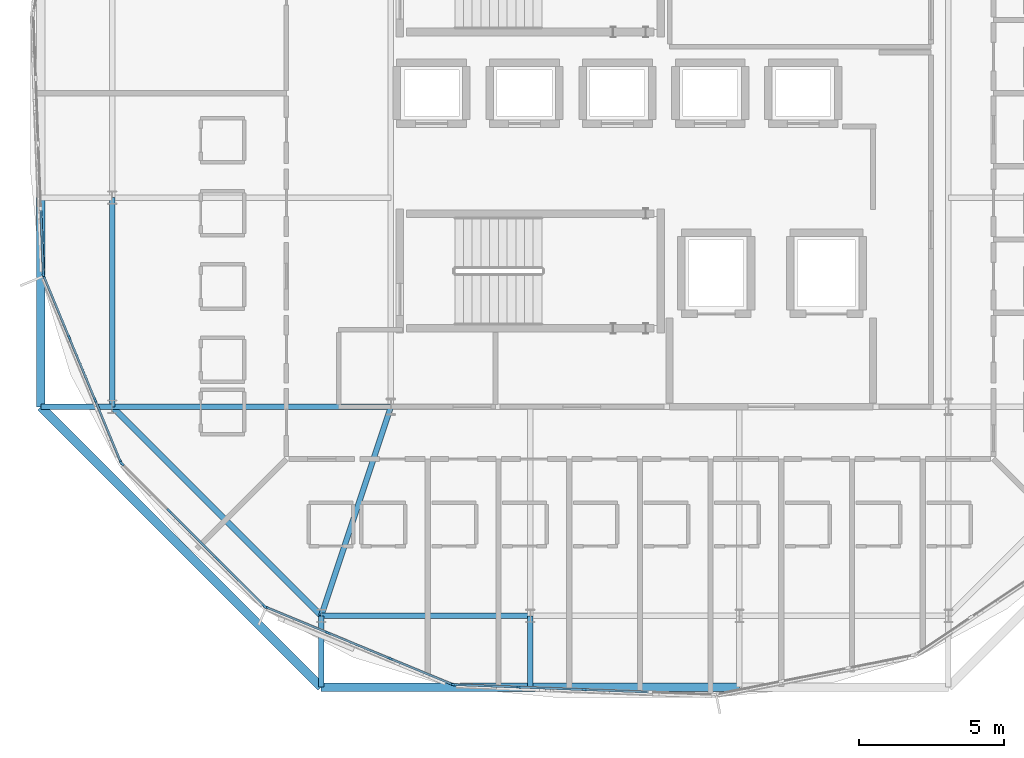
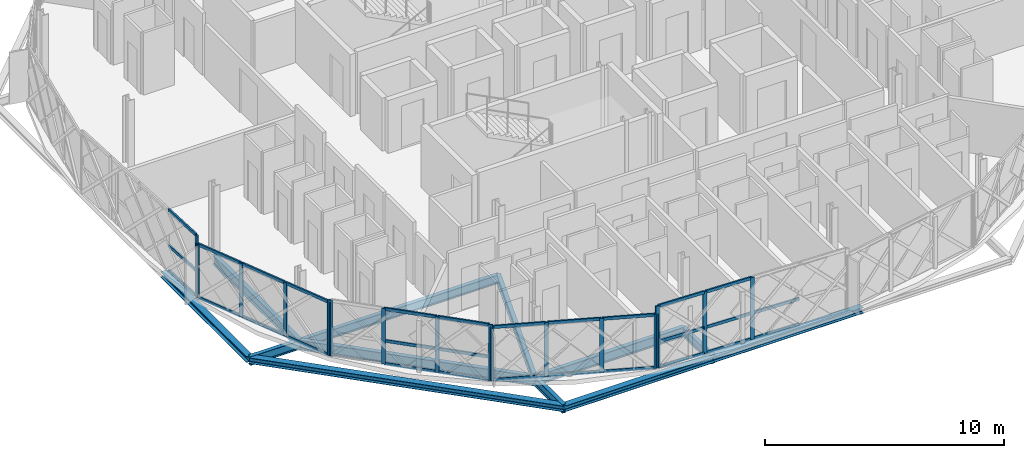
# One storey, part 4 of 24: 45 members, 12 beams, 5 elements without a shape of their own.
"""IFC4 building model written with IfcOpenShell, lengths in metres."""

from ifc_helpers import new_model, si_unit, direction, frame, origin, origin_2d, place, context, subcontext, project, spatial, rectangle, i_section, extrude, material, layer, layer_set, material_profile, profile_set, type_object, element, aggregate, save


model = new_model("IFC4")

# Units and contexts
model_context = context("Model", 3, precision=1e-05, world=origin(), true_north=direction((0.0, 1.0)))
body_context = subcontext(model_context, "Body", "Model", "MODEL_VIEW")
ifc_project = project(units=[si_unit("LENGTHUNIT", "METRE"), si_unit("AREAUNIT", "SQUARE_METRE"), si_unit("VOLUMEUNIT", "CUBIC_METRE"), si_unit("PLANEANGLEUNIT", "RADIAN"), si_unit("MASSUNIT", "GRAM", prefix="KILO")], contexts=[model_context])

# Site, building, storey
site_placement = place(None, origin())
site = spatial("IfcSite", under=ifc_project, at=site_placement, CompositionType="ELEMENT")
building_placement = place(site_placement, origin())
building = spatial("IfcBuilding", under=site, at=building_placement, Name="Zevrakil Square Congress Hotel", CompositionType="ELEMENT")
storey_placement = place(building_placement, frame((0.0, 0.0, 31.699951171875)))
storey = spatial("IfcBuildingStorey", under=building, at=storey_placement, Name="L09", CompositionType="ELEMENT", Elevation=31.699951171875)

# Beams
ifc_material_1 = material(Name="Steel S355", Category="steel")
ifc_material_profile_1 = material_profile(ifc_material_1, i_section(OverallWidth=0.18994140625, OverallDepth=0.449951171875, WebThickness=0.009521484375, FlangeThickness=0.0146484375, FilletRadius=0.02099609375, at=origin_2d()), Name="IPE 450")
ifc_profile_set_1 = profile_set([ifc_material_profile_1], Name="Steel S355")
beam_type_1 = type_object("IfcBeamType", Name="BM-IPE450", PredefinedType="BEAM", material=ifc_profile_set_1)
beam_1_placement = place(storey_placement, frame((136.800048828125, 16.800048828125, -0.449951171875), z_axis=(-0.316247066962, -0.948676864184, 0.0), x_axis=(0.948676864184, -0.316247066962, 0.0)))
element("IfcBeam", 1, at=beam_1_placement, inside=storey, type_object=beam_type_1, Name="L09 drum radial floor beam DRI-01", PredefinedType="BEAM", context=body_context, shape_type="SweptSolid", body=[
    extrude(i_section(OverallWidth=0.18994140625, OverallDepth=0.449951171875, WebThickness=0.009521484375, FlangeThickness=0.0146484375, FilletRadius=0.02099609375, at=origin_2d()), origin(), (0.0, 0.0, 1.0), 7.58935546875),
])
for number, where, z_axis, x_axis, name in (
    (2, (134.39990234375, 9.60009765625, -0.449951171875), (0.0, -1.0, 0.0), (1.0, 0.0, 0.0), "L09 drum radial edge cantilever beam DRO-01"),
    (3, (141.60009765625, 9.60009765625, -0.449951171875), (0.0, -1.0, 0.0), (1.0, 0.0, 0.0), "L09 drum radial edge cantilever beam DRO-02"),
):
    element("IfcBeam", number, at=place(storey_placement, frame(where, z_axis=z_axis, x_axis=x_axis)), inside=storey, type_object=beam_type_1, Name=name, PredefinedType="BEAM", context=body_context, shape_type="SweptSolid", body=[
        extrude(i_section(OverallWidth=0.18994140625, OverallDepth=0.449951171875, WebThickness=0.009521484375, FlangeThickness=0.0146484375, FilletRadius=0.02099609375, at=origin_2d()), origin(), (0.0, 0.0, 1.0), 2.455078125),
    ])
beam_2_placement = place(storey_placement, frame((136.800048828125, 16.800048828125, -0.449951171875), z_axis=(-1.0, 0.0, 0.0), x_axis=(0.0, -1.0, 0.0)))
element("IfcBeam", 4, at=beam_2_placement, inside=storey, type_object=beam_type_1, Name="L09 drum radial floor beam DRI-16", PredefinedType="BEAM", context=body_context, shape_type="SweptSolid", body=[
    extrude(i_section(OverallWidth=0.18994140625, OverallDepth=0.449951171875, WebThickness=0.009521484375, FlangeThickness=0.0146484375, FilletRadius=0.02099609375, at=origin_2d()), origin(), (0.0, 0.0, 1.0), 9.60009765625),
])
beam_3_placement = place(storey_placement, frame((127.199951171875, 16.800048828125, -0.449951171875), z_axis=(-1.0, 0.0, 0.0), x_axis=(0.0, -1.0, 0.0)))
element("IfcBeam", 5, at=beam_3_placement, inside=storey, type_object=beam_type_1, Name="L09 drum radial edge cantilever beam DRO-16", PredefinedType="BEAM", context=body_context, shape_type="SweptSolid", body=[
    extrude(i_section(OverallWidth=0.18994140625, OverallDepth=0.449951171875, WebThickness=0.009521484375, FlangeThickness=0.0146484375, FilletRadius=0.02099609375, at=origin_2d()), origin(), (0.0, 0.0, 1.0), 2.454833984375),
])
ifc_material_2 = material(Name="Steel S355", Category="steel")
ifc_material_profile_2 = material_profile(ifc_material_2, i_section(OverallWidth=0.199951171875, OverallDepth=0.5, WebThickness=0.01025390625, FlangeThickness=0.01611328125, FilletRadius=0.02099609375, at=origin_2d()), Name="IPE 500")
ifc_profile_set_2 = profile_set([ifc_material_profile_2], Name="Steel S355")
beam_type_2 = type_object("IfcBeamType", Name="BM-IPE500", PredefinedType="BEAM", material=ifc_profile_set_2)
beam_4_placement = place(storey_placement, frame((134.39990234375, 9.60009765625, -0.474853515625), z_axis=(1.0, 0.0, 0.0), x_axis=(0.0, 1.0, 0.0)))
element("IfcBeam", 6, at=beam_4_placement, inside=storey, type_object=beam_type_2, Name="L09 drum ring girder DRB-01", PredefinedType="BEAM", context=body_context, shape_type="SweptSolid", body=[
    extrude(i_section(OverallWidth=0.199951171875, OverallDepth=0.5, WebThickness=0.01025390625, FlangeThickness=0.01611328125, FilletRadius=0.02099609375, at=origin_2d()), origin(), (0.0, 0.0, 1.0), 7.2001953125),
])
beam_5_placement = place(storey_placement, frame((127.199951171875, 24.0, -0.474853515625), z_axis=(0.0, -1.0, 0.0), x_axis=(1.0, 0.0, 0.0)))
element("IfcBeam", 7, at=beam_5_placement, inside=storey, type_object=beam_type_2, Name="L09 drum ring girder DRB-15", PredefinedType="BEAM", context=body_context, shape_type="SweptSolid", body=[
    extrude(i_section(OverallWidth=0.199951171875, OverallDepth=0.5, WebThickness=0.01025390625, FlangeThickness=0.01611328125, FilletRadius=0.02099609375, at=origin_2d()), origin(), (0.0, 0.0, 1.0), 7.199951171875),
])
beam_6_placement = place(storey_placement, frame((127.199951171875, 16.800048828125, -0.474853515625), z_axis=(0.707106781187, -0.707106781187, 0.0), x_axis=(0.707106781187, 0.707106781187, 0.0)))
element("IfcBeam", 8, at=beam_6_placement, inside=storey, type_object=beam_type_2, Name="L09 drum ring girder DRB-16", PredefinedType="BEAM", context=body_context, shape_type="SweptSolid", body=[
    extrude(i_section(OverallWidth=0.199951171875, OverallDepth=0.5, WebThickness=0.01025390625, FlangeThickness=0.01611328125, FilletRadius=0.02099609375, at=origin_2d()), origin(), (0.0, 0.0, 1.0), 10.182373046875),
])

# Curtain wall, members
ifc_material_3 = material(Name="Aluminium Anodised Bronze", Category="aluminium")
ifc_layer_1 = layer(ifc_material_3, 0.179931640625)
ifc_layer_set_1 = layer_set([ifc_layer_1], Name="Aluminium Anodised Bronze")
curtain_wall_type_1 = type_object("IfcCurtainWallType", Name="CW-L09-900", PredefinedType="USERDEFINED", material=ifc_layer_set_1)
curtain_wall_1_placement = place(storey_placement, origin())
curtain_wall_1 = element("IfcCurtainWall", 9, at=curtain_wall_1_placement, inside=storey, type_object=curtain_wall_type_1, Name="L09 diamond curtain wall CW-L09-0266", ObjectType="GLAZED CURTAIN WALL", PredefinedType="USERDEFINED")
ifc_material_4 = material(Name="Aluminium Anodised Bronze", Category="aluminium")
ifc_material_profile_3 = material_profile(ifc_material_4, rectangle(XDim=0.074951171875, YDim=0.14990234375, at=origin_2d()), Name="ALU 75x150")
ifc_profile_set_3 = profile_set([ifc_material_profile_3], Name="Aluminium Anodised Bronze")
member_type_1 = type_object("IfcMemberType", Name="CWM-ALU75x150", PredefinedType="USERDEFINED", material=ifc_profile_set_3)
member_1_placement = place(storey_placement, frame((124.744873046875, 23.56298828125, 0.030029296875), z_axis=(0.038186533987, -0.999270628319, 0.0), x_axis=(0.999270628319, 0.038186533987, 0.0)))
member_1 = element("IfcMember", 10, at=member_1_placement, type_object=member_type_1, Name="CW-108 transom 4.1", ObjectType="TRANSOM", PredefinedType="USERDEFINED", context=body_context, shape_type="SweptSolid", body=[
    extrude(rectangle(XDim=0.074951171875, YDim=0.14990234375, at=origin_2d()), origin(), (0.0, 0.0, 1.0), 2.167236328125),
])
member_2_placement = place(storey_placement, frame((124.744873046875, 23.56298828125, 1.33154296875), z_axis=(0.038186533987, -0.999270628319, 0.0), x_axis=(0.999270628319, 0.038186533987, 0.0)))
member_2 = element("IfcMember", 11, at=member_2_placement, type_object=member_type_1, Name="CW-108 transom 4.2", ObjectType="TRANSOM", PredefinedType="USERDEFINED", context=body_context, shape_type="SweptSolid", body=[
    extrude(rectangle(XDim=0.074951171875, YDim=0.14990234375, at=origin_2d()), origin(), (0.0, 0.0, 1.0), 2.167236328125),
])
member_3_placement = place(storey_placement, frame((124.744873046875, 23.56298828125, 3.14013671875), z_axis=(0.038186533987, -0.999270628319, 0.0), x_axis=(0.999270628319, 0.038186533987, 0.0)))
member_3 = element("IfcMember", 12, at=member_3_placement, type_object=member_type_1, Name="CW-108 transom 4.3", ObjectType="TRANSOM", PredefinedType="USERDEFINED", context=body_context, shape_type="SweptSolid", body=[
    extrude(rectangle(XDim=0.074951171875, YDim=0.14990234375, at=origin_2d()), origin(), (0.0, 0.0, 1.0), 2.167236328125),
])

ifc_material_5 = material(Name="Aluminium Anodised Bronze", Category="aluminium")
ifc_layer_2 = layer(ifc_material_5, 0.179931640625)
ifc_layer_set_2 = layer_set([ifc_layer_2], Name="Aluminium Anodised Bronze")
curtain_wall_type_2 = type_object("IfcCurtainWallType", Name="CW-L09-720", PredefinedType="USERDEFINED", material=ifc_layer_set_2)
curtain_wall_2_placement = place(storey_placement, origin())
curtain_wall_2 = element("IfcCurtainWall", 13, at=curtain_wall_2_placement, inside=storey, type_object=curtain_wall_type_2, Name="L09 diamond curtain wall CW-L09-0267", ObjectType="GLAZED CURTAIN WALL", PredefinedType="USERDEFINED")
member_4_placement = place(storey_placement, frame((124.85302734375, 21.28173828125, 0.030029296875), z_axis=(0.382668727465, -0.923885623343, 0.0), x_axis=(0.923885623343, 0.382668727465, 0.0)))
member_4 = element("IfcMember", 14, at=member_4_placement, type_object=member_type_1, Name="CW-106 transom 1.1", ObjectType="TRANSOM", PredefinedType="USERDEFINED", context=body_context, shape_type="SweptSolid", body=[
    extrude(rectangle(XDim=0.074951171875, YDim=0.14990234375, at=origin_2d()), origin(), (0.0, 0.0, 1.0), 2.2451171875),
])
member_5_placement = place(storey_placement, frame((124.85302734375, 21.28173828125, 2.72509765625), z_axis=(0.382668727465, -0.923885623343, 0.0), x_axis=(0.923885623343, 0.382668727465, 0.0)))
member_5 = element("IfcMember", 15, at=member_5_placement, type_object=member_type_1, Name="CW-106 transom 1.2", ObjectType="TRANSOM", PredefinedType="USERDEFINED", context=body_context, shape_type="SweptSolid", body=[
    extrude(rectangle(XDim=0.074951171875, YDim=0.14990234375, at=origin_2d()), origin(), (0.0, 0.0, 1.0), 2.2451171875),
])
member_6_placement = place(storey_placement, frame((125.735107421875, 19.152099609375, 0.030029296875), z_axis=(0.382702390145, -0.923871679714, 0.0), x_axis=(0.923871679714, 0.382702390145, 0.0)))
member_6 = element("IfcMember", 16, at=member_6_placement, type_object=member_type_1, Name="CW-106 transom 2.1", ObjectType="TRANSOM", PredefinedType="USERDEFINED", context=body_context, shape_type="SweptSolid", body=[
    extrude(rectangle(XDim=0.074951171875, YDim=0.14990234375, at=origin_2d()), origin(), (0.0, 0.0, 1.0), 2.275634765625),
])
member_7_placement = place(storey_placement, frame((125.735107421875, 19.152099609375, 2.72509765625), z_axis=(0.382702390145, -0.923871679714, 0.0), x_axis=(0.923871679714, 0.382702390145, 0.0)))
member_7 = element("IfcMember", 17, at=member_7_placement, type_object=member_type_1, Name="CW-106 transom 2.2", ObjectType="TRANSOM", PredefinedType="USERDEFINED", context=body_context, shape_type="SweptSolid", body=[
    extrude(rectangle(XDim=0.074951171875, YDim=0.14990234375, at=origin_2d()), origin(), (0.0, 0.0, 1.0), 2.275634765625),
])
member_8_placement = place(storey_placement, frame((126.62890625, 16.994384765625, 0.030029296875), z_axis=(0.382668727465, -0.923885623343, 0.0), x_axis=(0.923885623343, 0.382668727465, 0.0)))
member_8 = element("IfcMember", 18, at=member_8_placement, type_object=member_type_1, Name="CW-106 transom 3.1", ObjectType="TRANSOM", PredefinedType="USERDEFINED", context=body_context, shape_type="SweptSolid", body=[
    extrude(rectangle(XDim=0.074951171875, YDim=0.14990234375, at=origin_2d()), origin(), (0.0, 0.0, 1.0), 2.2451171875),
])
member_9_placement = place(storey_placement, frame((126.62890625, 16.994384765625, 2.72509765625), z_axis=(0.382668727465, -0.923885623343, 0.0), x_axis=(0.923885623343, 0.382668727465, 0.0)))
member_9 = element("IfcMember", 19, at=member_9_placement, type_object=member_type_1, Name="CW-106 transom 3.2", ObjectType="TRANSOM", PredefinedType="USERDEFINED", context=body_context, shape_type="SweptSolid", body=[
    extrude(rectangle(XDim=0.074951171875, YDim=0.14990234375, at=origin_2d()), origin(), (0.0, 0.0, 1.0), 2.2451171875),
])

curtain_wall_3_placement = place(storey_placement, origin())
curtain_wall_3 = element("IfcCurtainWall", 20, at=curtain_wall_3_placement, inside=storey, type_object=curtain_wall_type_2, Name="L09 diamond curtain wall CW-L09-0268", ObjectType="GLAZED CURTAIN WALL", PredefinedType="USERDEFINED")
member_10_placement = place(storey_placement, frame((129.183349609375, 13.192138671875, 0.030029296875), z_axis=(0.707160433205, -0.707053125097, 0.0), x_axis=(0.707053125097, 0.707160433205, 0.0)))
member_10 = element("IfcMember", 21, at=member_10_placement, type_object=member_type_1, Name="CW-106 transom 2.1", ObjectType="TRANSOM", PredefinedType="USERDEFINED", context=body_context, shape_type="SweptSolid", body=[
    extrude(rectangle(XDim=0.074951171875, YDim=0.14990234375, at=origin_2d()), origin(), (0.0, 0.0, 1.0), 2.275146484375),
])
member_11_placement = place(storey_placement, frame((129.183349609375, 13.192138671875, 1.19921875), z_axis=(0.707160433205, -0.707053125097, 0.0), x_axis=(0.707053125097, 0.707160433205, 0.0)))
member_11 = element("IfcMember", 22, at=member_11_placement, type_object=member_type_1, Name="CW-106 transom 2.2", ObjectType="TRANSOM", PredefinedType="USERDEFINED", context=body_context, shape_type="SweptSolid", body=[
    extrude(rectangle(XDim=0.074951171875, YDim=0.14990234375, at=origin_2d()), origin(), (0.0, 0.0, 1.0), 2.275146484375),
])
member_12_placement = place(storey_placement, frame((129.183349609375, 13.192138671875, 2.824951171875), z_axis=(0.707160433205, -0.707053125097, 0.0), x_axis=(0.707053125097, 0.707160433205, 0.0)))
member_12 = element("IfcMember", 23, at=member_12_placement, type_object=member_type_1, Name="CW-106 transom 2.3", ObjectType="TRANSOM", PredefinedType="USERDEFINED", context=body_context, shape_type="SweptSolid", body=[
    extrude(rectangle(XDim=0.074951171875, YDim=0.14990234375, at=origin_2d()), origin(), (0.0, 0.0, 1.0), 2.275146484375),
])
member_13_placement = place(storey_placement, frame((130.834716796875, 11.541015625, 0.030029296875), z_axis=(0.707106781187, -0.707106781187, 0.0), x_axis=(0.707106781187, 0.707106781187, 0.0)))
member_13 = element("IfcMember", 24, at=member_13_placement, type_object=member_type_1, Name="CW-106 transom 3.1", ObjectType="TRANSOM", PredefinedType="USERDEFINED", context=body_context, shape_type="SweptSolid", body=[
    extrude(rectangle(XDim=0.074951171875, YDim=0.14990234375, at=origin_2d()), origin(), (0.0, 0.0, 1.0), 2.245361328125),
])
member_14_placement = place(storey_placement, frame((130.834716796875, 11.541015625, 1.19921875), z_axis=(0.707106781187, -0.707106781187, 0.0), x_axis=(0.707106781187, 0.707106781187, 0.0)))
member_14 = element("IfcMember", 25, at=member_14_placement, type_object=member_type_1, Name="CW-106 transom 3.2", ObjectType="TRANSOM", PredefinedType="USERDEFINED", context=body_context, shape_type="SweptSolid", body=[
    extrude(rectangle(XDim=0.074951171875, YDim=0.14990234375, at=origin_2d()), origin(), (0.0, 0.0, 1.0), 2.245361328125),
])
member_15_placement = place(storey_placement, frame((130.834716796875, 11.541015625, 2.824951171875), z_axis=(0.707106781187, -0.707106781187, 0.0), x_axis=(0.707106781187, 0.707106781187, 0.0)))
member_15 = element("IfcMember", 26, at=member_15_placement, type_object=member_type_1, Name="CW-106 transom 3.3", ObjectType="TRANSOM", PredefinedType="USERDEFINED", context=body_context, shape_type="SweptSolid", body=[
    extrude(rectangle(XDim=0.074951171875, YDim=0.14990234375, at=origin_2d()), origin(), (0.0, 0.0, 1.0), 2.245361328125),
])

curtain_wall_4_placement = place(storey_placement, origin())
curtain_wall_4 = element("IfcCurtainWall", 27, at=curtain_wall_4_placement, inside=storey, type_object=curtain_wall_type_2, Name="L09 diamond curtain wall CW-L09-0269", ObjectType="GLAZED CURTAIN WALL", PredefinedType="USERDEFINED")
member_16_placement = place(storey_placement, frame((132.52001953125, 9.887939453125, 0.030029296875), z_axis=(0.923901544851, -0.382630285552, 0.0), x_axis=(0.382630285552, 0.923901544851, 0.0)))
member_16 = element("IfcMember", 28, at=member_16_placement, type_object=member_type_1, Name="CW-106 transom 1.1", ObjectType="TRANSOM", PredefinedType="USERDEFINED", context=body_context, shape_type="SweptSolid", body=[
    extrude(rectangle(XDim=0.074951171875, YDim=0.14990234375, at=origin_2d()), origin(), (0.0, 0.0, 1.0), 2.245361328125),
])
member_17_placement = place(storey_placement, frame((132.52001953125, 9.887939453125, 2.72509765625), z_axis=(0.923901544851, -0.382630285552, 0.0), x_axis=(0.382630285552, 0.923901544851, 0.0)))
member_17 = element("IfcMember", 29, at=member_17_placement, type_object=member_type_1, Name="CW-106 transom 1.2", ObjectType="TRANSOM", PredefinedType="USERDEFINED", context=body_context, shape_type="SweptSolid", body=[
    extrude(rectangle(XDim=0.074951171875, YDim=0.14990234375, at=origin_2d()), origin(), (0.0, 0.0, 1.0), 2.245361328125),
])
member_18_placement = place(storey_placement, frame((134.64990234375, 9.005859375, 0.030029296875), z_axis=(0.923893901698, -0.382648740238, 0.0), x_axis=(0.382648740238, 0.923893901698, 0.0)))
member_18 = element("IfcMember", 30, at=member_18_placement, type_object=member_type_1, Name="CW-106 transom 2.1", ObjectType="TRANSOM", PredefinedType="USERDEFINED", context=body_context, shape_type="SweptSolid", body=[
    extrude(rectangle(XDim=0.074951171875, YDim=0.14990234375, at=origin_2d()), origin(), (0.0, 0.0, 1.0), 2.275146484375),
])
member_19_placement = place(storey_placement, frame((134.64990234375, 9.005859375, 2.72509765625), z_axis=(0.923893901698, -0.382648740238, 0.0), x_axis=(0.382648740238, 0.923893901698, 0.0)))
member_19 = element("IfcMember", 31, at=member_19_placement, type_object=member_type_1, Name="CW-106 transom 2.2", ObjectType="TRANSOM", PredefinedType="USERDEFINED", context=body_context, shape_type="SweptSolid", body=[
    extrude(rectangle(XDim=0.074951171875, YDim=0.14990234375, at=origin_2d()), origin(), (0.0, 0.0, 1.0), 2.275146484375),
])
member_20_placement = place(storey_placement, frame((136.807373046875, 8.1123046875, 0.030029296875), z_axis=(0.923863103406, -0.382723093326, 0.0), x_axis=(0.382723093326, 0.923863103406, 0.0)))
member_20 = element("IfcMember", 32, at=member_20_placement, type_object=member_type_1, Name="CW-106 transom 3.1", ObjectType="TRANSOM", PredefinedType="USERDEFINED", context=body_context, shape_type="SweptSolid", body=[
    extrude(rectangle(XDim=0.074951171875, YDim=0.14990234375, at=origin_2d()), origin(), (0.0, 0.0, 1.0), 2.245361328125),
])
member_21_placement = place(storey_placement, frame((136.807373046875, 8.1123046875, 2.72509765625), z_axis=(0.923863103406, -0.382723093326, 0.0), x_axis=(0.382723093326, 0.923863103406, 0.0)))
member_21 = element("IfcMember", 33, at=member_21_placement, type_object=member_type_1, Name="CW-106 transom 3.2", ObjectType="TRANSOM", PredefinedType="USERDEFINED", context=body_context, shape_type="SweptSolid", body=[
    extrude(rectangle(XDim=0.074951171875, YDim=0.14990234375, at=origin_2d()), origin(), (0.0, 0.0, 1.0), 2.245361328125),
])

curtain_wall_5_placement = place(storey_placement, origin())
curtain_wall_5 = element("IfcCurtainWall", 34, at=curtain_wall_5_placement, inside=storey, type_object=curtain_wall_type_1, Name="L09 diamond curtain wall CW-L09-0270", ObjectType="GLAZED CURTAIN WALL", PredefinedType="USERDEFINED")
member_22_placement = place(storey_placement, frame((138.9970703125, 7.227783203125, 0.030029296875), z_axis=(0.999266323636, -0.038299013644, 0.0), x_axis=(0.038299013644, 0.999266323636, 0.0)))
member_22 = element("IfcMember", 35, at=member_22_placement, type_object=member_type_1, Name="CW-108 transom 1.1", ObjectType="TRANSOM", PredefinedType="USERDEFINED", context=body_context, shape_type="SweptSolid", body=[
    extrude(rectangle(XDim=0.074951171875, YDim=0.14990234375, at=origin_2d()), origin(), (0.0, 0.0, 1.0), 2.16748046875),
])
member_23_placement = place(storey_placement, frame((138.9970703125, 7.227783203125, 1.33154296875), z_axis=(0.999266323636, -0.038299013644, 0.0), x_axis=(0.038299013644, 0.999266323636, 0.0)))
member_23 = element("IfcMember", 36, at=member_23_placement, type_object=member_type_1, Name="CW-108 transom 1.2", ObjectType="TRANSOM", PredefinedType="USERDEFINED", context=body_context, shape_type="SweptSolid", body=[
    extrude(rectangle(XDim=0.074951171875, YDim=0.14990234375, at=origin_2d()), origin(), (0.0, 0.0, 1.0), 2.16748046875),
])
member_24_placement = place(storey_placement, frame((138.9970703125, 7.227783203125, 3.14013671875), z_axis=(0.999266323636, -0.038299013644, 0.0), x_axis=(0.038299013644, 0.999266323636, 0.0)))
member_24 = element("IfcMember", 37, at=member_24_placement, type_object=member_type_1, Name="CW-108 transom 1.3", ObjectType="TRANSOM", PredefinedType="USERDEFINED", context=body_context, shape_type="SweptSolid", body=[
    extrude(rectangle(XDim=0.074951171875, YDim=0.14990234375, at=origin_2d()), origin(), (0.0, 0.0, 1.0), 2.16748046875),
])
member_25_placement = place(storey_placement, frame((141.222900390625, 7.142578125, 0.030029296875), z_axis=(0.999269357469, -0.038219775291, 0.0), x_axis=(0.038219775291, 0.999269357469, 0.0)))
member_25 = element("IfcMember", 38, at=member_25_placement, type_object=member_type_1, Name="CW-108 transom 2.1", ObjectType="TRANSOM", PredefinedType="USERDEFINED", context=body_context, shape_type="SweptSolid", body=[
    extrude(rectangle(XDim=0.074951171875, YDim=0.14990234375, at=origin_2d()), origin(), (0.0, 0.0, 1.0), 2.197509765625),
])
member_26_placement = place(storey_placement, frame((141.222900390625, 7.142578125, 1.33154296875), z_axis=(0.999269357469, -0.038219775291, 0.0), x_axis=(0.038219775291, 0.999269357469, 0.0)))
member_26 = element("IfcMember", 39, at=member_26_placement, type_object=member_type_1, Name="CW-108 transom 2.2", ObjectType="TRANSOM", PredefinedType="USERDEFINED", context=body_context, shape_type="SweptSolid", body=[
    extrude(rectangle(XDim=0.074951171875, YDim=0.14990234375, at=origin_2d()), origin(), (0.0, 0.0, 1.0), 2.197509765625),
])
member_27_placement = place(storey_placement, frame((141.222900390625, 7.142578125, 3.14013671875), z_axis=(0.999269357469, -0.038219775291, 0.0), x_axis=(0.038219775291, 0.999269357469, 0.0)))
member_27 = element("IfcMember", 40, at=member_27_placement, type_object=member_type_1, Name="CW-108 transom 2.3", ObjectType="TRANSOM", PredefinedType="USERDEFINED", context=body_context, shape_type="SweptSolid", body=[
    extrude(rectangle(XDim=0.074951171875, YDim=0.14990234375, at=origin_2d()), origin(), (0.0, 0.0, 1.0), 2.197509765625),
])
member_28_placement = place(storey_placement, frame((143.478515625, 7.056396484375, 0.030029296875), z_axis=(0.999269357469, -0.038219775291, 0.0), x_axis=(0.038219775291, 0.999269357469, 0.0)))
member_28 = element("IfcMember", 41, at=member_28_placement, type_object=member_type_1, Name="CW-108 transom 3.1", ObjectType="TRANSOM", PredefinedType="USERDEFINED", context=body_context, shape_type="SweptSolid", body=[
    extrude(rectangle(XDim=0.074951171875, YDim=0.14990234375, at=origin_2d()), origin(), (0.0, 0.0, 1.0), 2.197509765625),
])
member_29_placement = place(storey_placement, frame((143.478515625, 7.056396484375, 1.33154296875), z_axis=(0.999269357469, -0.038219775291, 0.0), x_axis=(0.038219775291, 0.999269357469, 0.0)))
member_29 = element("IfcMember", 42, at=member_29_placement, type_object=member_type_1, Name="CW-108 transom 3.2", ObjectType="TRANSOM", PredefinedType="USERDEFINED", context=body_context, shape_type="SweptSolid", body=[
    extrude(rectangle(XDim=0.074951171875, YDim=0.14990234375, at=origin_2d()), origin(), (0.0, 0.0, 1.0), 2.197509765625),
])

# Member
ifc_material_6 = material(Name="Aluminium Anodised Bronze", Category="aluminium")
ifc_material_profile_4 = material_profile(ifc_material_6, rectangle(XDim=0.074951171875, YDim=0.179931640625, at=origin_2d()), Name="ALU 75x180")
ifc_profile_set_4 = profile_set([ifc_material_profile_4], Name="Aluminium Anodised Bronze")
member_type_2 = type_object("IfcMemberType", Name="CWM-ALU75x180", PredefinedType="MULLION", material=ifc_profile_set_4)
member_30_placement = place(storey_placement, frame((124.828857421875, 21.3671875, 0.0), z_axis=(0.0, 0.0, 1.0), x_axis=(0.999269786869, 0.03820854684, 0.0)))
member_30 = element("IfcMember", 43, at=member_30_placement, type_object=member_type_2, Name="CW-108 mullion 5", PredefinedType="MULLION", context=body_context, shape_type="SweptSolid", body=[
    extrude(rectangle(XDim=0.074951171875, YDim=0.179931640625, at=origin_2d()), origin(), (0.0, 0.0, 1.0), 3.170166015625),
])

aggregate(curtain_wall_1, [member_30, member_1, member_2, member_3])

member_31_placement = place(storey_placement, frame((124.841552734375, 21.3095703125, 0.0), z_axis=(0.0, 0.0, 1.0), x_axis=(0.92387939537, 0.382683763454, 0.0)))
member_31 = element("IfcMember", 44, at=member_31_placement, type_object=member_type_2, Name="CW-106 mullion 1", PredefinedType="MULLION", context=body_context, shape_type="SweptSolid", body=[
    extrude(rectangle(XDim=0.074951171875, YDim=0.179931640625, at=origin_2d()), origin(), (0.0, 0.0, 1.0), 2.755126953125),
])

member_32_placement = place(storey_placement, frame((125.7236328125, 19.1796875, 0.0), z_axis=(0.0, 0.0, 1.0), x_axis=(0.92387939537, 0.382683763454, 0.0)))
member_32 = element("IfcMember", 45, at=member_32_placement, type_object=member_type_2, Name="CW-106 mullion 2", PredefinedType="MULLION", context=body_context, shape_type="SweptSolid", body=[
    extrude(rectangle(XDim=0.074951171875, YDim=0.179931640625, at=origin_2d()), origin(), (0.0, 0.0, 1.0), 2.755126953125),
])

member_33_placement = place(storey_placement, frame((126.617431640625, 17.022216796875, 0.0), z_axis=(0.0, 0.0, 1.0), x_axis=(0.92387939537, 0.382683763454, 0.0)))
member_33 = element("IfcMember", 46, at=member_33_placement, type_object=member_type_2, Name="CW-106 mullion 3", PredefinedType="MULLION", context=body_context, shape_type="SweptSolid", body=[
    extrude(rectangle(XDim=0.074951171875, YDim=0.179931640625, at=origin_2d()), origin(), (0.0, 0.0, 1.0), 2.755126953125),
])

member_34_placement = place(storey_placement, frame((127.49951171875, 14.892333984375, 0.0), z_axis=(0.0, 0.0, 1.0), x_axis=(0.92387939537, 0.382683763454, 0.0)))
member_34 = element("IfcMember", 47, at=member_34_placement, type_object=member_type_2, Name="CW-106 mullion 4", PredefinedType="MULLION", context=body_context, shape_type="SweptSolid", body=[
    extrude(rectangle(XDim=0.074951171875, YDim=0.179931640625, at=origin_2d()), origin(), (0.0, 0.0, 1.0), 2.755126953125),
])

aggregate(curtain_wall_2, [member_31, member_32, member_33, member_34, member_4, member_5, member_6, member_7, member_8, member_9])

member_35_placement = place(storey_placement, frame((127.5322265625, 14.843505859375, 0.0), z_axis=(0.0, 0.0, 1.0), x_axis=(0.707106781187, 0.707106781187, 0.0)))
member_35 = element("IfcMember", 48, at=member_35_placement, type_object=member_type_2, Name="CW-106 mullion 1", PredefinedType="MULLION", context=body_context, shape_type="SweptSolid", body=[
    extrude(rectangle(XDim=0.074951171875, YDim=0.179931640625, at=origin_2d()), origin(), (0.0, 0.0, 1.0), 2.85498046875),
])

member_36_placement = place(storey_placement, frame((129.162353515625, 13.21337890625, 0.0), z_axis=(0.0, 0.0, 1.0), x_axis=(0.707106781187, 0.707106781187, 0.0)))
member_36 = element("IfcMember", 49, at=member_36_placement, type_object=member_type_2, Name="CW-106 mullion 2", PredefinedType="MULLION", context=body_context, shape_type="SweptSolid", body=[
    extrude(rectangle(XDim=0.074951171875, YDim=0.179931640625, at=origin_2d()), origin(), (0.0, 0.0, 1.0), 2.85498046875),
])

member_37_placement = place(storey_placement, frame((130.8134765625, 11.562255859375, 0.0), z_axis=(0.0, 0.0, 1.0), x_axis=(0.707106781187, 0.707106781187, 0.0)))
member_37 = element("IfcMember", 50, at=member_37_placement, type_object=member_type_2, Name="CW-106 mullion 3", PredefinedType="MULLION", context=body_context, shape_type="SweptSolid", body=[
    extrude(rectangle(XDim=0.074951171875, YDim=0.179931640625, at=origin_2d()), origin(), (0.0, 0.0, 1.0), 2.85498046875),
])

member_38_placement = place(storey_placement, frame((132.443603515625, 9.93212890625, 0.0), z_axis=(0.0, 0.0, 1.0), x_axis=(0.707106781187, 0.707106781187, 0.0)))
member_38 = element("IfcMember", 51, at=member_38_placement, type_object=member_type_2, Name="CW-106 mullion 4", PredefinedType="MULLION", context=body_context, shape_type="SweptSolid", body=[
    extrude(rectangle(XDim=0.074951171875, YDim=0.179931640625, at=origin_2d()), origin(), (0.0, 0.0, 1.0), 2.85498046875),
])

aggregate(curtain_wall_3, [member_35, member_36, member_37, member_38, member_10, member_11, member_12, member_13, member_14, member_15])

member_39_placement = place(storey_placement, frame((132.492431640625, 9.8994140625, 0.0), z_axis=(0.0, 0.0, 1.0), x_axis=(0.382683763454, 0.92387939537, 0.0)))
member_39 = element("IfcMember", 52, at=member_39_placement, type_object=member_type_2, Name="CW-106 mullion 1", PredefinedType="MULLION", context=body_context, shape_type="SweptSolid", body=[
    extrude(rectangle(XDim=0.074951171875, YDim=0.179931640625, at=origin_2d()), origin(), (0.0, 0.0, 1.0), 2.755126953125),
])

member_40_placement = place(storey_placement, frame((134.622314453125, 9.017333984375, 0.0), z_axis=(0.0, 0.0, 1.0), x_axis=(0.382683763454, 0.92387939537, 0.0)))
member_40 = element("IfcMember", 53, at=member_40_placement, type_object=member_type_2, Name="CW-106 mullion 2", PredefinedType="MULLION", context=body_context, shape_type="SweptSolid", body=[
    extrude(rectangle(XDim=0.074951171875, YDim=0.179931640625, at=origin_2d()), origin(), (0.0, 0.0, 1.0), 2.755126953125),
])

member_41_placement = place(storey_placement, frame((136.77978515625, 8.123779296875, 0.0), z_axis=(0.0, 0.0, 1.0), x_axis=(0.382683763454, 0.92387939537, 0.0)))
member_41 = element("IfcMember", 54, at=member_41_placement, type_object=member_type_2, Name="CW-106 mullion 3", PredefinedType="MULLION", context=body_context, shape_type="SweptSolid", body=[
    extrude(rectangle(XDim=0.074951171875, YDim=0.179931640625, at=origin_2d()), origin(), (0.0, 0.0, 1.0), 2.755126953125),
])

member_42_placement = place(storey_placement, frame((138.909423828125, 7.241455078125, 0.0), z_axis=(0.0, 0.0, 1.0), x_axis=(0.382683763454, 0.92387939537, 0.0)))
member_42 = element("IfcMember", 55, at=member_42_placement, type_object=member_type_2, Name="CW-106 mullion 4", PredefinedType="MULLION", context=body_context, shape_type="SweptSolid", body=[
    extrude(rectangle(XDim=0.074951171875, YDim=0.179931640625, at=origin_2d()), origin(), (0.0, 0.0, 1.0), 2.755126953125),
])

aggregate(curtain_wall_4, [member_39, member_40, member_41, member_42, member_16, member_17, member_18, member_19, member_20, member_21])

member_43_placement = place(storey_placement, frame((138.96728515625, 7.228759765625, 0.0), z_axis=(0.0, 0.0, 1.0), x_axis=(0.03820854684, 0.999269786869, 0.0)))
member_43 = element("IfcMember", 56, at=member_43_placement, type_object=member_type_2, Name="CW-108 mullion 1", PredefinedType="MULLION", context=body_context, shape_type="SweptSolid", body=[
    extrude(rectangle(XDim=0.074951171875, YDim=0.179931640625, at=origin_2d()), origin(), (0.0, 0.0, 1.0), 3.170166015625),
])

member_44_placement = place(storey_placement, frame((141.19287109375, 7.143798828125, 0.0), z_axis=(0.0, 0.0, 1.0), x_axis=(0.03820854684, 0.999269786869, 0.0)))
member_44 = element("IfcMember", 57, at=member_44_placement, type_object=member_type_2, Name="CW-108 mullion 2", PredefinedType="MULLION", context=body_context, shape_type="SweptSolid", body=[
    extrude(rectangle(XDim=0.074951171875, YDim=0.179931640625, at=origin_2d()), origin(), (0.0, 0.0, 1.0), 3.170166015625),
])

member_45_placement = place(storey_placement, frame((143.448486328125, 7.0576171875, 0.0), z_axis=(0.0, 0.0, 1.0), x_axis=(0.03820854684, 0.999269786869, 0.0)))
member_45 = element("IfcMember", 58, at=member_45_placement, type_object=member_type_2, Name="CW-108 mullion 3", PredefinedType="MULLION", context=body_context, shape_type="SweptSolid", body=[
    extrude(rectangle(XDim=0.074951171875, YDim=0.179931640625, at=origin_2d()), origin(), (0.0, 0.0, 1.0), 3.170166015625),
])

aggregate(curtain_wall_5, [member_43, member_44, member_45, member_22, member_23, member_24, member_25, member_26, member_27, member_28, member_29])

# Beams
ifc_material_7 = material(Name="Steel S355", Category="steel")
ifc_material_profile_5 = material_profile(ifc_material_7, i_section(OverallWidth=0.300048828125, OverallDepth=0.300048828125, WebThickness=0.010986328125, FlangeThickness=0.01904296875, FilletRadius=0.027099609375, at=origin_2d()), Name="HEB 300")
ifc_profile_set_5 = profile_set([ifc_material_profile_5], Name="Steel S355")
beam_type_3 = type_object("IfcBeamType", Name="SPD-RHS250", PredefinedType="SPANDREL", material=ifc_profile_set_5)
beam_7_placement = place(storey_placement, frame((134.39990234375, 7.14501953125, -0.375), z_axis=(1.0, 0.0, 0.0), x_axis=(0.0, 1.0, 0.0)))
element("IfcBeam", 59, at=beam_7_placement, inside=storey, type_object=beam_type_3, Name="L09 drum edge spandrel beam DSP-00", PredefinedType="SPANDREL", context=body_context, shape_type="SweptSolid", body=[
    extrude(i_section(OverallWidth=0.300048828125, OverallDepth=0.300048828125, WebThickness=0.010986328125, FlangeThickness=0.01904296875, FilletRadius=0.027099609375, at=origin_2d()), origin(), (0.0, 0.0, 1.0), 7.2001953125),
])
for number, where, z_axis, x_axis, name in (
    (60, (141.60009765625, 7.14501953125, -0.375), (1.0, 0.0, 0.0), (0.0, 1.0, 0.0), "L09 drum edge spandrel beam DSP-01"),
    (61, (124.7451171875, 24.0, -0.375), (0.0, -1.0, 0.0), (1.0, 0.0, 0.0), "L09 drum edge spandrel beam DSP-14"),
):
    element("IfcBeam", number, at=place(storey_placement, frame(where, z_axis=z_axis, x_axis=x_axis)), inside=storey, type_object=beam_type_3, Name=name, PredefinedType="SPANDREL", context=body_context, shape_type="SweptSolid", body=[
        extrude(i_section(OverallWidth=0.300048828125, OverallDepth=0.300048828125, WebThickness=0.010986328125, FlangeThickness=0.01904296875, FilletRadius=0.027099609375, at=origin_2d()), origin(), (0.0, 0.0, 1.0), 7.199951171875),
    ])
beam_8_placement = place(storey_placement, frame((124.7451171875, 16.800048828125, -0.375), z_axis=(0.707097840936, -0.707115721324, 0.0), x_axis=(0.707115721324, 0.707097840936, 0.0)))
element("IfcBeam", 62, at=beam_8_placement, inside=storey, type_object=beam_type_3, Name="L09 drum edge spandrel beam DSP-15", PredefinedType="SPANDREL", context=body_context, shape_type="SweptSolid", body=[
    extrude(i_section(OverallWidth=0.300048828125, OverallDepth=0.300048828125, WebThickness=0.010986328125, FlangeThickness=0.01904296875, FilletRadius=0.027099609375, at=origin_2d()), origin(), (0.0, 0.0, 1.0), 13.654052734375),
])

save(model, "model.ifc")
